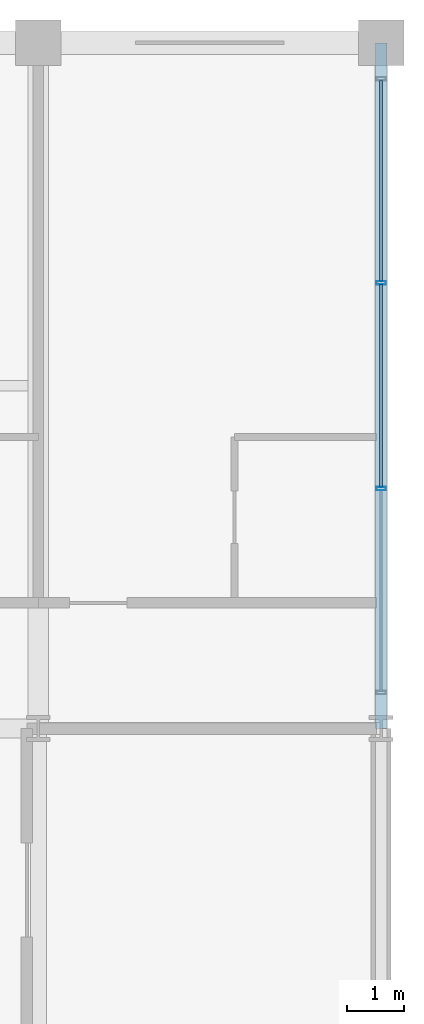
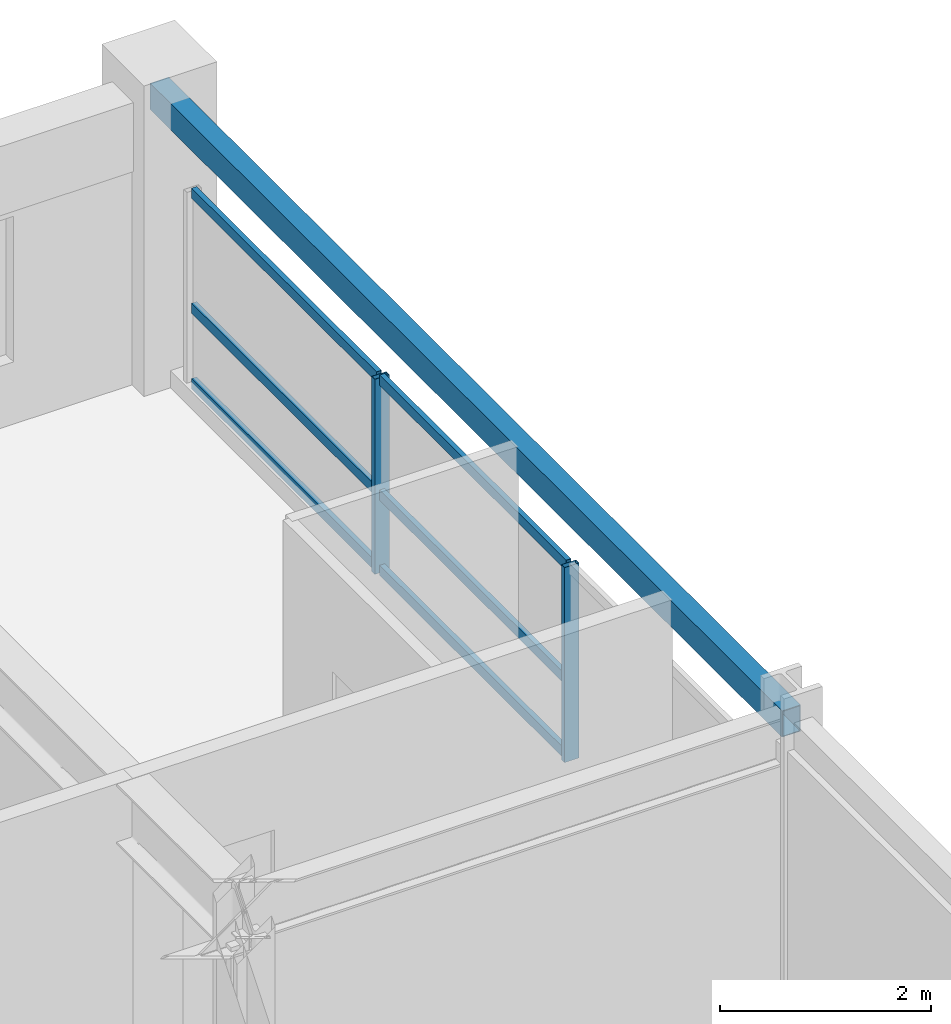
# One storey, part 16 of 26: 8 members, 1 beam, 1 element without a shape of its own.
"""IFC4 building model written with IfcOpenShell, lengths in metres."""

from ifc_helpers import new_model, si_unit, direction, frame, origin, origin_2d, place, context, subcontext, project, spatial, hollow_rectangle, extrude, material, material_profile, profile_set, type_object, element, aggregate, save


model = new_model("IFC4")

# Units and contexts
model_context = context("Model", 3, precision=1e-05, world=origin(), true_north=direction((0.0, 1.0)))
body_context = subcontext(model_context, "Body", "Model", "MODEL_VIEW")
ifc_project = project(units=[si_unit("LENGTHUNIT", "METRE"), si_unit("AREAUNIT", "SQUARE_METRE"), si_unit("VOLUMEUNIT", "CUBIC_METRE"), si_unit("PLANEANGLEUNIT", "RADIAN"), si_unit("MASSUNIT", "GRAM", prefix="KILO")], contexts=[model_context])

# Site, building, storey
site_placement = place(None, origin())
site = spatial("IfcSite", under=ifc_project, at=site_placement, CompositionType="ELEMENT")
building_placement = place(site_placement, origin())
building = spatial("IfcBuilding", under=site, at=building_placement, Name="Kaldorvane Square Convention Centre", CompositionType="ELEMENT")
storey_placement = place(building_placement, frame((0.0, 0.0, 45.600006103515625)))
storey = spatial("IfcBuildingStorey", under=building, at=storey_placement, Name="L10", CompositionType="ELEMENT", Elevation=45.600006103515625)

# Beam
ifc_material_1 = material(Name="Steel ASTM A500 Gr. C", Category="steel")
ifc_material_profile_1 = material_profile(ifc_material_1, hollow_rectangle(XDim=0.2032012939453125, YDim=0.3047943115234375, WallThickness=0.0088958740234375, at=origin_2d()), Name="HSS12X8X3/8")
ifc_profile_set_1 = profile_set([ifc_material_profile_1], Name="Steel ASTM A500 Gr. C")
beam_type = type_object("IfcBeamType", Name="BM-SP-HSS12", PredefinedType="SPANDREL", material=ifc_profile_set_1)
beam_placement = place(storey_placement, frame((84.0, 105.0, 3.1335906982421875), z_axis=(0.0, 1.0, 0.0), x_axis=(-1.0, 0.0, 0.0)))
element("IfcBeam", 1, at=beam_placement, inside=storey, type_object=beam_type, Name="End Spandrel (L10)", PredefinedType="SPANDREL", context=body_context, shape_type="SweptSolid", body=[
    extrude(hollow_rectangle(XDim=0.2032012939453125, YDim=0.3047943115234375, WallThickness=0.0088958740234375, at=origin_2d()), origin(), (0.0, 0.0, 1.0), 12.0),
])

# Curtain wall, members
ifc_material_2 = material(Name="Anodized Aluminum and Low-E Insulated Glazing", Category="aluminium")
curtain_wall_type = type_object("IfcCurtainWallType", Name="CW-UNI-HTL-A", PredefinedType="USERDEFINED", material=ifc_material_2)
curtain_wall_placement = place(storey_placement, origin())
curtain_wall = element("IfcCurtainWall", 2, at=curtain_wall_placement, inside=storey, type_object=curtain_wall_type, Name="Curtain Wall CW-10 (L10)", ObjectType="UNITISED GLAZING", PredefinedType="USERDEFINED")
ifc_material_profile_2 = material_profile(ifc_material_2, hollow_rectangle(XDim=0.05999755859375, YDim=0.160003662109375, WallThickness=0.003204345703125, at=origin_2d()), Name="CWM-160X60")
ifc_profile_set_2 = profile_set([ifc_material_profile_2], Name="Anodized Aluminum and Low-E Insulated Glazing")
member_type_1 = type_object("IfcMemberType", Name="CW-MUL-160", PredefinedType="MULLION", material=ifc_profile_set_2)
member_1_placement = place(storey_placement, frame((84.0, 109.19999694824219, 0.149993896484375), z_axis=(0.0, 0.0, 1.0), x_axis=(0.0, 1.0, 0.0)))
member_1 = element("IfcMember", 3, at=member_1_placement, type_object=member_type_1, Name="CW-10 mullion 2", PredefinedType="MULLION", context=body_context, shape_type="SweptSolid", body=[
    extrude(hollow_rectangle(XDim=0.05999755859375, YDim=0.160003662109375, WallThickness=0.003204345703125, at=origin_2d()), origin(), (0.0, 0.0, 1.0), 2.2599945068359375),
])
member_2_placement = place(storey_placement, frame((84.0, 112.80000305175781, 0.149993896484375), z_axis=(0.0, 0.0, 1.0), x_axis=(0.0, 1.0, 0.0)))
member_2 = element("IfcMember", 4, at=member_2_placement, type_object=member_type_1, Name="CW-10 mullion 3", PredefinedType="MULLION", context=body_context, shape_type="SweptSolid", body=[
    extrude(hollow_rectangle(XDim=0.05999755859375, YDim=0.160003662109375, WallThickness=0.003204345703125, at=origin_2d()), origin(), (0.0, 0.0, 1.0), 2.2599945068359375),
])
ifc_material_profile_3 = material_profile(ifc_material_2, hollow_rectangle(XDim=0.05499267578125, YDim=0.1199951171875, WallThickness=0.0030059814453125, at=origin_2d()), Name="CWT-120X55")
ifc_profile_set_3 = profile_set([ifc_material_profile_3], Name="Anodized Aluminum and Low-E Insulated Glazing")
member_type_2 = type_object("IfcMemberType", Name="CW-TRN-120", PredefinedType="USERDEFINED", material=ifc_profile_set_3)
member_3_placement = place(storey_placement, frame((84.0, 109.22999572753906, 0.177490234375), z_axis=(0.0, 1.0, 0.0), x_axis=(-1.0, 0.0, 0.0)))
member_3 = element("IfcMember", 5, at=member_3_placement, type_object=member_type_2, Name="CW-10 transom 2.1", ObjectType="TRANSOM", PredefinedType="USERDEFINED", context=body_context, shape_type="SweptSolid", body=[
    extrude(hollow_rectangle(XDim=0.05499267578125, YDim=0.1199951171875, WallThickness=0.0030059814453125, at=origin_2d()), origin(), (0.0, 0.0, 1.0), 3.540008544921875),
])
member_4_placement = place(storey_placement, frame((84.0, 109.22999572753906, 1.04998779296875), z_axis=(0.0, 1.0, 0.0), x_axis=(-1.0, 0.0, 0.0)))
member_4 = element("IfcMember", 6, at=member_4_placement, type_object=member_type_2, Name="CW-10 transom 2.2", ObjectType="TRANSOM", PredefinedType="USERDEFINED", context=body_context, shape_type="SweptSolid", body=[
    extrude(hollow_rectangle(XDim=0.05499267578125, YDim=0.1199951171875, WallThickness=0.0030059814453125, at=origin_2d()), origin(), (0.0, 0.0, 1.0), 3.540008544921875),
])
member_5_placement = place(storey_placement, frame((84.0, 109.22999572753906, 2.3824920654296875), z_axis=(0.0, 1.0, 0.0), x_axis=(-1.0, 0.0, 0.0)))
member_5 = element("IfcMember", 7, at=member_5_placement, type_object=member_type_2, Name="CW-10 transom 2.3", ObjectType="TRANSOM", PredefinedType="USERDEFINED", context=body_context, shape_type="SweptSolid", body=[
    extrude(hollow_rectangle(XDim=0.05499267578125, YDim=0.1199951171875, WallThickness=0.0030059814453125, at=origin_2d()), origin(), (0.0, 0.0, 1.0), 3.540008544921875),
])
member_6_placement = place(storey_placement, frame((84.0, 112.83000183105469, 0.177490234375), z_axis=(0.0, 1.0, 0.0), x_axis=(-1.0, 0.0, 0.0)))
member_6 = element("IfcMember", 8, at=member_6_placement, type_object=member_type_2, Name="CW-10 transom 3.1", ObjectType="TRANSOM", PredefinedType="USERDEFINED", context=body_context, shape_type="SweptSolid", body=[
    extrude(hollow_rectangle(XDim=0.05499267578125, YDim=0.1199951171875, WallThickness=0.0030059814453125, at=origin_2d()), origin(), (0.0, 0.0, 1.0), 3.5099945068359375),
])
member_7_placement = place(storey_placement, frame((84.0, 112.83000183105469, 1.04998779296875), z_axis=(0.0, 1.0, 0.0), x_axis=(-1.0, 0.0, 0.0)))
member_7 = element("IfcMember", 9, at=member_7_placement, type_object=member_type_2, Name="CW-10 transom 3.2", ObjectType="TRANSOM", PredefinedType="USERDEFINED", context=body_context, shape_type="SweptSolid", body=[
    extrude(hollow_rectangle(XDim=0.05499267578125, YDim=0.1199951171875, WallThickness=0.0030059814453125, at=origin_2d()), origin(), (0.0, 0.0, 1.0), 3.5099945068359375),
])
member_8_placement = place(storey_placement, frame((84.0, 112.83000183105469, 2.3824920654296875), z_axis=(0.0, 1.0, 0.0), x_axis=(-1.0, 0.0, 0.0)))
member_8 = element("IfcMember", 10, at=member_8_placement, type_object=member_type_2, Name="CW-10 transom 3.3", ObjectType="TRANSOM", PredefinedType="USERDEFINED", context=body_context, shape_type="SweptSolid", body=[
    extrude(hollow_rectangle(XDim=0.05499267578125, YDim=0.1199951171875, WallThickness=0.0030059814453125, at=origin_2d()), origin(), (0.0, 0.0, 1.0), 3.5099945068359375),
])
aggregate(curtain_wall, [member_1, member_2, member_3, member_4, member_5, member_6, member_7, member_8])

save(model, "model.ifc")
